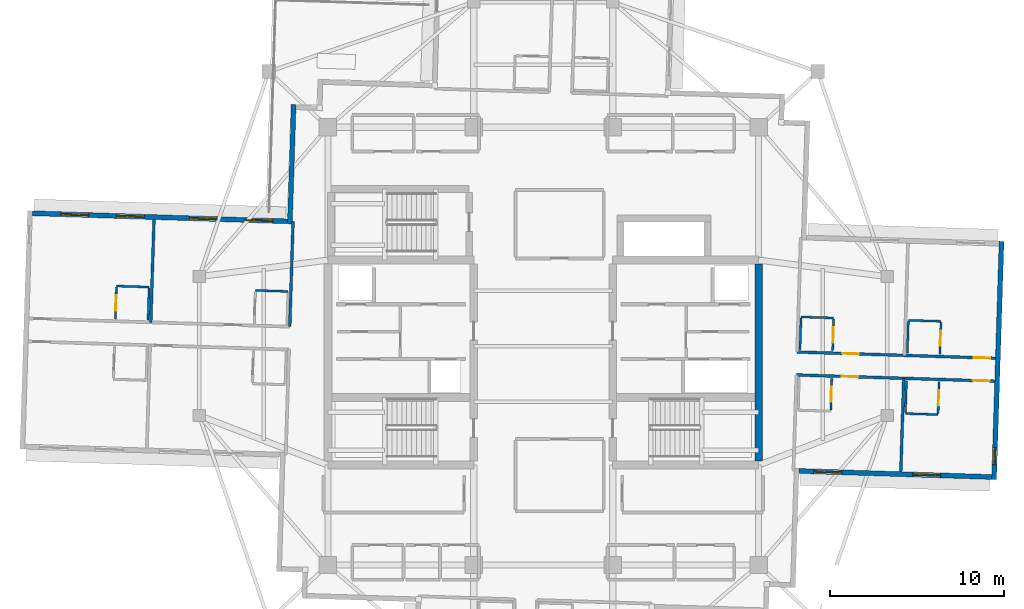
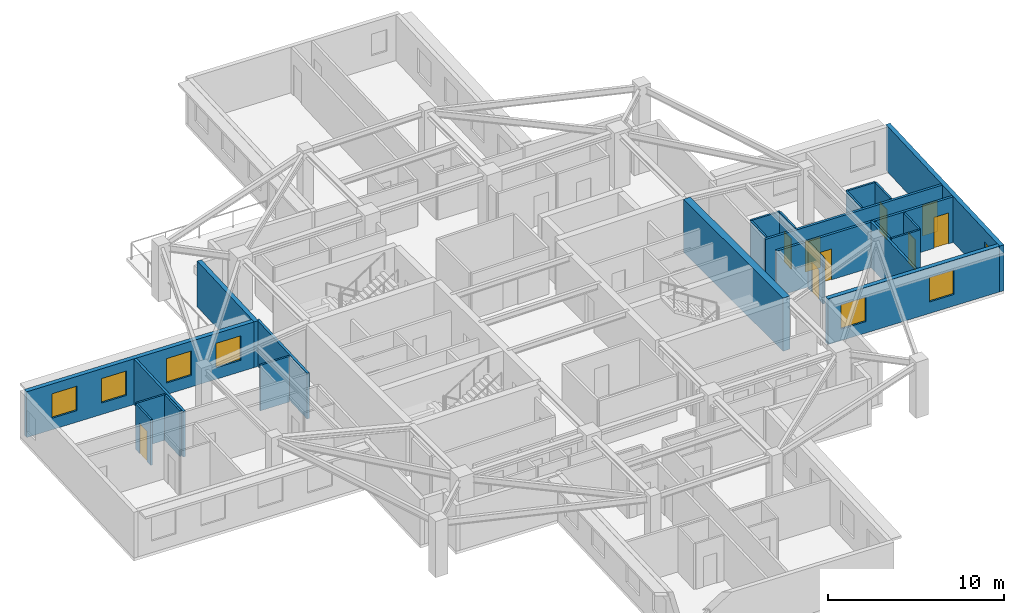
# One storey, part 6 of 13: 24 walls, 9 doors, 7 windows, 16 openings.
"""IFC4 building model written with IfcOpenShell, lengths in metres."""

from ifc_helpers import new_model, si_unit, direction, frame, frame_2d, origin, place, context, subcontext, project, spatial, rectangle, extrude, material, layer, layer_set, type_object, element, fill, save


model = new_model("IFC4")

# Units and contexts
model_context = context("Model", 3, precision=1e-05, world=origin(), true_north=direction((0.0, 1.0)))
body_context = subcontext(model_context, "Body", "Model", "MODEL_VIEW")
ifc_project = project(units=[si_unit("LENGTHUNIT", "METRE"), si_unit("AREAUNIT", "SQUARE_METRE"), si_unit("VOLUMEUNIT", "CUBIC_METRE"), si_unit("PLANEANGLEUNIT", "RADIAN"), si_unit("MASSUNIT", "GRAM", prefix="KILO")], contexts=[model_context])

# Site, building, storey
site_placement = place(None, origin())
site = spatial("IfcSite", under=ifc_project, at=site_placement, CompositionType="ELEMENT")
building_placement = place(site_placement, origin())
building = spatial("IfcBuilding", under=site, at=building_placement, Name="Qingluan Cross Belvedere", CompositionType="ELEMENT")
storey_placement = place(building_placement, frame((0.0, 0.0, 257.699951171875)))
storey = spatial("IfcBuildingStorey", under=building, at=storey_placement, Name="L64", CompositionType="ELEMENT", Elevation=257.699951171875)

# Wall
ifc_material_1 = material(Name="Concrete C50", Category="concrete")
ifc_layer_1 = layer(ifc_material_1, 0.449951171875, Name="CoreShearWall_450")
ifc_layer_set_1 = layer_set([ifc_layer_1], Name="Concrete C50")
wall_type_1 = type_object("IfcWallType", Name="CoreShearWall_450", PredefinedType="SHEAR", material=ifc_layer_set_1)
wall_1_placement = place(storey_placement, frame((12.39990234375, -6.6201171875, 0.0), z_axis=(0.0, 0.0, 1.0), x_axis=(0.0, 1.0, 0.0)))
element("IfcWall", 1, at=wall_1_placement, inside=storey, type_object=wall_type_1, Name="Split core E shear wall L64-E", PredefinedType="SHEAR", context=body_context, shape_type="SweptSolid", body=[
    extrude(rectangle(XDim=11.340087890625, YDim=0.449951171875, at=frame_2d((5.669921875, 0.0))), origin(), (0.0, 0.0, 1.0), 3.699951171875),
])

# Wall, openings, doors
ifc_material_2 = material(Name="Gypsum plasterboard on steel stud acoustic partition", Category="steel")
ifc_layer_2 = layer(ifc_material_2, 0.159912109375, Name="CorridorPartition_160")
ifc_layer_set_2 = layer_set([ifc_layer_2], Name="Gypsum plasterboard on steel stud acoustic partition")
wall_type_2 = type_object("IfcWallType", Name="CorridorPartition_160", PredefinedType="PARTITIONING", material=ifc_layer_set_2)
wall_2_placement = place(storey_placement, frame((14.61669921875, -0.33935546875, 0.0), z_axis=(0.0, 0.0, 1.0), x_axis=(0.999506718293, -0.031405733357, 0.0)))
wall_2 = element("IfcWall", 2, at=wall_2_placement, inside=storey, type_object=wall_type_2, Name="Partition L64:E:c0", PredefinedType="PARTITIONING", context=body_context, shape_type="SweptSolid", body=[
    extrude(rectangle(XDim=11.411865234375, YDim=0.159912109375, at=frame_2d((5.7060546875, 0.0))), origin(), (0.0, 0.0, 1.0), 3.170166015625),
])
opening_1_placement = place(wall_2_placement, frame((2.597900390625, 0.0, 0.0)))
opening_1 = element("IfcOpeningElement", 3, at=opening_1_placement, cuts=wall_2, Name="Opening GD-10", PredefinedType="OPENING", context=body_context, shape_type="SweptSolid", body=[
    extrude(rectangle(XDim=0.9599609375, YDim=2.14990234375, at=frame_2d((0.47998046875, 1.074951171875))), frame((0.0, 0.08984375, 0.0), z_axis=(0.0, -1.0, 0.0), x_axis=(1.0, 0.0, 0.0)), (0.0, 0.0, 1.0), 0.179931640625),
])
opening_2_placement = place(wall_2_placement, frame((10.159912109375, 0.0, 0.0)))
opening_2 = element("IfcOpeningElement", 4, at=opening_2_placement, cuts=wall_2, Name="Opening GD-10", PredefinedType="OPENING", context=body_context, shape_type="SweptSolid", body=[
    extrude(rectangle(XDim=0.9599609375, YDim=2.14990234375, at=frame_2d((0.47998046875, 1.074951171875))), frame((0.0, 0.08984375, 0.0), z_axis=(0.0, -1.0, 0.0), x_axis=(1.0, 0.0, 0.0)), (0.0, 0.0, 1.0), 0.179931640625),
])
ifc_material_3 = material(Name="Timber oak fire-rated acoustic guestroom door", Category="wood")
door_type_1 = type_object("IfcDoorType", Name="GuestEntryDoor_FD60", OperationType="NOTDEFINED", PredefinedType="DOOR", material=ifc_material_3)
door_1_placement = place(opening_1_placement, origin())
door_1 = element("IfcDoor", 5, at=door_1_placement, inside=storey, type_object=door_type_1, Name="Guest entry fire door 6401", OperationType="SINGLE_SWING_LEFT", OverallHeight=2.14990234375, OverallWidth=0.9599609375, PredefinedType="DOOR", context=body_context, shape_type="SweptSolid", body=[
    extrude(rectangle(XDim=0.9599609375, YDim=2.14990234375, at=frame_2d((0.47998046875, 1.074951171875))), frame((0.0, 0.02490234375, 0.0), z_axis=(0.0, -1.0, 0.0), x_axis=(1.0, 0.0, 0.0)), (0.0, 0.0, 1.0), 0.050048828125),
])
fill(opening_1, door_1)
door_2_placement = place(opening_2_placement, origin())
door_2 = element("IfcDoor", 6, at=door_2_placement, inside=storey, type_object=door_type_1, Name="Guest entry fire door 6402", OperationType="SINGLE_SWING_LEFT", OverallHeight=2.14990234375, OverallWidth=0.9599609375, PredefinedType="DOOR", context=body_context, shape_type="SweptSolid", body=[
    extrude(rectangle(XDim=0.9599609375, YDim=2.14990234375, at=frame_2d((0.47998046875, 1.074951171875))), frame((0.0, 0.02490234375, 0.0), z_axis=(0.0, -1.0, 0.0), x_axis=(1.0, 0.0, 0.0)), (0.0, 0.0, 1.0), 0.050048828125),
])
fill(opening_2, door_2)

wall_3_placement = place(storey_placement, frame((14.5751953125, -1.65869140625, 0.0), z_axis=(0.0, 0.0, 1.0), x_axis=(0.999506718293, -0.031405733357, 0.0)))
wall_3 = element("IfcWall", 7, at=wall_3_placement, inside=storey, type_object=wall_type_2, Name="Partition L64:E:c1", PredefinedType="PARTITIONING", context=body_context, shape_type="SweptSolid", body=[
    extrude(rectangle(XDim=11.411865234375, YDim=0.159912109375, at=frame_2d((5.7060546875, 0.0))), origin(), (0.0, 0.0, 1.0), 3.170166015625),
])
opening_3_placement = place(wall_3_placement, frame((2.597900390625, 0.0, 0.0)))
opening_3 = element("IfcOpeningElement", 8, at=opening_3_placement, cuts=wall_3, Name="Opening GD-10", PredefinedType="OPENING", context=body_context, shape_type="SweptSolid", body=[
    extrude(rectangle(XDim=0.9599609375, YDim=2.14990234375, at=frame_2d((0.47998046875, 1.074951171875))), frame((0.0, 0.08984375, 0.0), z_axis=(0.0, -1.0, 0.0), x_axis=(1.0, 0.0, 0.0)), (0.0, 0.0, 1.0), 0.179931640625),
])
opening_4_placement = place(wall_3_placement, frame((10.159912109375, 0.0, 0.0)))
opening_4 = element("IfcOpeningElement", 9, at=opening_4_placement, cuts=wall_3, Name="Opening GD-10", PredefinedType="OPENING", context=body_context, shape_type="SweptSolid", body=[
    extrude(rectangle(XDim=0.9599609375, YDim=2.14990234375, at=frame_2d((0.47998046875, 1.074951171875))), frame((0.0, 0.08984375, 0.0), z_axis=(0.0, -1.0, 0.0), x_axis=(1.0, 0.0, 0.0)), (0.0, 0.0, 1.0), 0.179931640625),
])
door_3_placement = place(opening_3_placement, origin())
door_3 = element("IfcDoor", 10, at=door_3_placement, inside=storey, type_object=door_type_1, Name="Guest entry fire door 6403", OperationType="SINGLE_SWING_LEFT", OverallHeight=2.14990234375, OverallWidth=0.9599609375, PredefinedType="DOOR", context=body_context, shape_type="SweptSolid", body=[
    extrude(rectangle(XDim=0.9599609375, YDim=2.14990234375, at=frame_2d((0.47998046875, 1.074951171875))), frame((0.0, 0.02490234375, 0.0), z_axis=(0.0, -1.0, 0.0), x_axis=(1.0, 0.0, 0.0)), (0.0, 0.0, 1.0), 0.050048828125),
])
fill(opening_3, door_3)
door_4_placement = place(opening_4_placement, origin())
door_4 = element("IfcDoor", 11, at=door_4_placement, inside=storey, type_object=door_type_1, Name="Guest entry fire door 6404", OperationType="SINGLE_SWING_LEFT", OverallHeight=2.14990234375, OverallWidth=0.9599609375, PredefinedType="DOOR", context=body_context, shape_type="SweptSolid", body=[
    extrude(rectangle(XDim=0.9599609375, YDim=2.14990234375, at=frame_2d((0.47998046875, 1.074951171875))), frame((0.0, 0.02490234375, 0.0), z_axis=(0.0, -1.0, 0.0), x_axis=(1.0, 0.0, 0.0)), (0.0, 0.0, 1.0), 0.050048828125),
])
fill(opening_4, door_4)

# Walls
wall_4_placement = place(storey_placement, frame((20.751953125, -1.852783203125, 0.0), z_axis=(0.0, 0.0, 1.0), x_axis=(-0.031403591545, -0.999506785589, 0.0)))
element("IfcWall", 12, at=wall_4_placement, inside=storey, type_object=wall_type_2, Name="Partition L64:E:d1_0", PredefinedType="PARTITIONING", context=body_context, shape_type="SweptSolid", body=[
    extrude(rectangle(XDim=5.3720703125, YDim=0.159912109375, at=frame_2d((2.68603515625, 0.0))), origin(), (0.0, 0.0, 1.0), 3.170166015625),
])
wall_5_placement = place(storey_placement, frame((-14.592041015625, 1.118896484375, 0.0), z_axis=(0.0, 0.0, 1.0), x_axis=(0.031424675557, 0.999506122926, 0.0)))
element("IfcWall", 13, at=wall_5_placement, inside=storey, type_object=wall_type_2, Name="Partition L64:W:s0", PredefinedType="PARTITIONING", context=body_context, shape_type="SweptSolid", body=[
    extrude(rectangle(XDim=6.059814453125, YDim=0.159912109375, at=frame_2d((3.02978515625, 0.0))), origin(), (0.0, 0.0, 1.0), 3.170166015625),
])
wall_6_placement = place(storey_placement, frame((-22.592041015625, 1.370361328125, 0.0), z_axis=(0.0, 0.0, 1.0), x_axis=(0.031385596274, 0.999507350822, 0.0)))
element("IfcWall", 14, at=wall_6_placement, inside=storey, type_object=wall_type_2, Name="Partition L64:W:d0_0", PredefinedType="PARTITIONING", context=body_context, shape_type="SweptSolid", body=[
    extrude(rectangle(XDim=5.911865234375, YDim=0.159912109375, at=frame_2d((2.9560546875, 0.0))), origin(), (0.0, 0.0, 1.0), 3.170166015625),
])

# Wall, opening, door
ifc_material_4 = material(Name="Moisture-resistant gypsum board lining")
ifc_layer_3 = layer(ifc_material_4, 0.1201171875, Name="EnsuiteWetPartition_120")
ifc_layer_set_3 = layer_set([ifc_layer_3], Name="Moisture-resistant gypsum board lining")
wall_type_3 = type_object("IfcWallType", Name="EnsuiteWetPartition_120", PredefinedType="PARTITIONING", material=ifc_layer_set_3)
wall_7_placement = place(storey_placement, frame((16.659912109375, -0.263427734375, 0.0), z_axis=(0.0, 0.0, 1.0), x_axis=(0.031389704724, 0.999507221803, 0.0)))
wall_7 = element("IfcWall", 15, at=wall_7_placement, inside=storey, type_object=wall_type_3, Name="Partition L64:E:bs0_0", PredefinedType="PARTITIONING", context=body_context, shape_type="SweptSolid", body=[
    extrude(rectangle(XDim=1.820068359375, YDim=0.1201171875, at=frame_2d((0.91015625, 0.0))), origin(), (0.0, 0.0, 1.0), 3.170166015625),
])
opening_5_placement = place(wall_7_placement, frame((0.469970703125, 0.0, 0.0)))
opening_5 = element("IfcOpeningElement", 16, at=opening_5_placement, cuts=wall_7, Name="Opening BD-09", PredefinedType="OPENING", context=body_context, shape_type="SweptSolid", body=[
    extrude(rectangle(XDim=0.8798828125, YDim=2.10009765625, at=frame_2d((0.43994140625, 1.050048828125))), frame((0.0, 0.070068359375, 0.0), z_axis=(0.0, -1.0, 0.0), x_axis=(1.0, 0.0, 0.0)), (0.0, 0.0, 1.0), 0.14013671875),
])
ifc_material_5 = material(Name="Moisture-sealed timber en-suite door", Category="wood")
door_type_2 = type_object("IfcDoorType", Name="BathroomDoor_880", OperationType="NOTDEFINED", PredefinedType="DOOR", material=ifc_material_5)
door_5_placement = place(opening_5_placement, origin())
door_5 = element("IfcDoor", 17, at=door_5_placement, inside=storey, type_object=door_type_2, Name="Bathroom door 6401", OperationType="SINGLE_SWING_RIGHT", OverallHeight=2.10009765625, OverallWidth=0.8798828125, PredefinedType="DOOR", context=body_context, shape_type="SweptSolid", body=[
    extrude(rectangle(XDim=0.8798828125, YDim=2.10009765625, at=frame_2d((0.43994140625, 1.050048828125))), frame((0.0, 0.02490234375, 0.0), z_axis=(0.0, -1.0, 0.0), x_axis=(1.0, 0.0, 0.0)), (0.0, 0.0, 1.0), 0.050048828125),
])
fill(opening_5, door_5)

# Walls
wall_8_placement = place(storey_placement, frame((14.781005859375, -0.204345703125, 0.0), z_axis=(0.0, 0.0, 1.0), x_axis=(0.031255692016, 0.999511421504, 0.0)))
element("IfcWall", 18, at=wall_8_placement, inside=storey, type_object=wall_type_3, Name="Partition L64:E:bw0_0", PredefinedType="PARTITIONING", context=body_context, shape_type="SweptSolid", body=[
    extrude(rectangle(XDim=1.820068359375, YDim=0.1201171875, at=frame_2d((0.91015625, 0.0))), origin(), (0.0, 0.0, 1.0), 3.170166015625),
])
wall_9_placement = place(storey_placement, frame((14.840087890625, 1.6796875, 0.0), z_axis=(0.0, 0.0, 1.0), x_axis=(0.999506103526, -0.031425292588, 0.0)))
element("IfcWall", 19, at=wall_9_placement, inside=storey, type_object=wall_type_3, Name="Partition L64:E:bn0_0", PredefinedType="PARTITIONING", context=body_context, shape_type="SweptSolid", body=[
    extrude(rectangle(XDim=1.880126953125, YDim=0.1201171875, at=frame_2d((0.93994140625, 0.0))), origin(), (0.0, 0.0, 1.0), 3.170166015625),
])

# Wall, opening, door
wall_10_placement = place(storey_placement, frame((22.8369140625, -0.45751953125, 0.0), z_axis=(0.0, 0.0, 1.0), x_axis=(0.031389704724, 0.999507221803, 0.0)))
wall_10 = element("IfcWall", 20, at=wall_10_placement, inside=storey, type_object=wall_type_3, Name="Partition L64:E:bs0_1", PredefinedType="PARTITIONING", context=body_context, shape_type="SweptSolid", body=[
    extrude(rectangle(XDim=1.820068359375, YDim=0.1201171875, at=frame_2d((0.91015625, 0.0))), origin(), (0.0, 0.0, 1.0), 3.170166015625),
])
opening_6_placement = place(wall_10_placement, frame((0.469970703125, 0.0, 0.0)))
opening_6 = element("IfcOpeningElement", 21, at=opening_6_placement, cuts=wall_10, Name="Opening BD-09", PredefinedType="OPENING", context=body_context, shape_type="SweptSolid", body=[
    extrude(rectangle(XDim=0.8798828125, YDim=2.10009765625, at=frame_2d((0.43994140625, 1.050048828125))), frame((0.0, 0.070068359375, 0.0), z_axis=(0.0, -1.0, 0.0), x_axis=(1.0, 0.0, 0.0)), (0.0, 0.0, 1.0), 0.14013671875),
])
door_6_placement = place(opening_6_placement, origin())
door_6 = element("IfcDoor", 22, at=door_6_placement, inside=storey, type_object=door_type_2, Name="Bathroom door 6402", OperationType="SINGLE_SWING_RIGHT", OverallHeight=2.10009765625, OverallWidth=0.8798828125, PredefinedType="DOOR", context=body_context, shape_type="SweptSolid", body=[
    extrude(rectangle(XDim=0.8798828125, YDim=2.10009765625, at=frame_2d((0.43994140625, 1.050048828125))), frame((0.0, 0.02490234375, 0.0), z_axis=(0.0, -1.0, 0.0), x_axis=(1.0, 0.0, 0.0)), (0.0, 0.0, 1.0), 0.050048828125),
])
fill(opening_6, door_6)

# Walls
wall_11_placement = place(storey_placement, frame((20.957763671875, -0.3984375, 0.0), z_axis=(0.0, 0.0, 1.0), x_axis=(0.031389704724, 0.999507221803, 0.0)))
element("IfcWall", 23, at=wall_11_placement, inside=storey, type_object=wall_type_3, Name="Partition L64:E:bw0_1", PredefinedType="PARTITIONING", context=body_context, shape_type="SweptSolid", body=[
    extrude(rectangle(XDim=1.820068359375, YDim=0.1201171875, at=frame_2d((0.91015625, 0.0))), origin(), (0.0, 0.0, 1.0), 3.170166015625),
])
wall_12_placement = place(storey_placement, frame((21.01708984375, 1.485595703125, 0.0), z_axis=(0.0, 0.0, 1.0), x_axis=(0.999505975261, -0.031429371883, 0.0)))
element("IfcWall", 24, at=wall_12_placement, inside=storey, type_object=wall_type_3, Name="Partition L64:E:bn0_1", PredefinedType="PARTITIONING", context=body_context, shape_type="SweptSolid", body=[
    extrude(rectangle(XDim=1.8798828125, YDim=0.1201171875, at=frame_2d((0.93994140625, 0.0))), origin(), (0.0, 0.0, 1.0), 3.170166015625),
])

# Wall, opening, door
wall_13_placement = place(storey_placement, frame((16.552490234375, -3.681640625, 0.0), z_axis=(0.0, 0.0, 1.0), x_axis=(0.031389704724, 0.999507221803, 0.0)))
wall_13 = element("IfcWall", 25, at=wall_13_placement, inside=storey, type_object=wall_type_3, Name="Partition L64:E:bs1_0", PredefinedType="PARTITIONING", context=body_context, shape_type="SweptSolid", body=[
    extrude(rectangle(XDim=1.820068359375, YDim=0.1201171875, at=frame_2d((0.91015625, 0.0))), origin(), (0.0, 0.0, 1.0), 3.170166015625),
])
opening_7_placement = place(wall_13_placement, frame((0.469970703125, 0.0, 0.0)))
opening_7 = element("IfcOpeningElement", 26, at=opening_7_placement, cuts=wall_13, Name="Opening BD-09", PredefinedType="OPENING", context=body_context, shape_type="SweptSolid", body=[
    extrude(rectangle(XDim=0.8798828125, YDim=2.10009765625, at=frame_2d((0.43994140625, 1.050048828125))), frame((0.0, 0.070068359375, 0.0), z_axis=(0.0, -1.0, 0.0), x_axis=(1.0, 0.0, 0.0)), (0.0, 0.0, 1.0), 0.14013671875),
])
door_7_placement = place(opening_7_placement, origin())
door_7 = element("IfcDoor", 27, at=door_7_placement, inside=storey, type_object=door_type_2, Name="Bathroom door 6403", OperationType="SINGLE_SWING_RIGHT", OverallHeight=2.10009765625, OverallWidth=0.8798828125, PredefinedType="DOOR", context=body_context, shape_type="SweptSolid", body=[
    extrude(rectangle(XDim=0.8798828125, YDim=2.10009765625, at=frame_2d((0.43994140625, 1.050048828125))), frame((0.0, 0.02490234375, 0.0), z_axis=(0.0, -1.0, 0.0), x_axis=(1.0, 0.0, 0.0)), (0.0, 0.0, 1.0), 0.050048828125),
])
fill(opening_7, door_7)

wall_14_placement = place(storey_placement, frame((22.7294921875, -3.8759765625, 0.0), z_axis=(0.0, 0.0, 1.0), x_axis=(0.031389704724, 0.999507221803, 0.0)))
wall_14 = element("IfcWall", 28, at=wall_14_placement, inside=storey, type_object=wall_type_3, Name="Partition L64:E:bs1_1", PredefinedType="PARTITIONING", context=body_context, shape_type="SweptSolid", body=[
    extrude(rectangle(XDim=1.820068359375, YDim=0.1201171875, at=frame_2d((0.91015625, 0.0))), origin(), (0.0, 0.0, 1.0), 3.170166015625),
])
opening_8_placement = place(wall_14_placement, frame((0.469970703125, 0.0, 0.0)))
opening_8 = element("IfcOpeningElement", 29, at=opening_8_placement, cuts=wall_14, Name="Opening BD-09", PredefinedType="OPENING", context=body_context, shape_type="SweptSolid", body=[
    extrude(rectangle(XDim=0.8798828125, YDim=2.10009765625, at=frame_2d((0.43994140625, 1.050048828125))), frame((0.0, 0.070068359375, 0.0), z_axis=(0.0, -1.0, 0.0), x_axis=(1.0, 0.0, 0.0)), (0.0, 0.0, 1.0), 0.14013671875),
])
door_8_placement = place(opening_8_placement, origin())
door_8 = element("IfcDoor", 30, at=door_8_placement, inside=storey, type_object=door_type_2, Name="Bathroom door 6404", OperationType="SINGLE_SWING_RIGHT", OverallHeight=2.10009765625, OverallWidth=0.8798828125, PredefinedType="DOOR", context=body_context, shape_type="SweptSolid", body=[
    extrude(rectangle(XDim=0.8798828125, YDim=2.10009765625, at=frame_2d((0.43994140625, 1.050048828125))), frame((0.0, 0.02490234375, 0.0), z_axis=(0.0, -1.0, 0.0), x_axis=(1.0, 0.0, 0.0)), (0.0, 0.0, 1.0), 0.050048828125),
])
fill(opening_8, door_8)

# Walls
wall_15_placement = place(storey_placement, frame((20.850341796875, -3.81689453125, 0.0), z_axis=(0.0, 0.0, 1.0), x_axis=(0.03152371574, 0.999503004171, 0.0)))
element("IfcWall", 31, at=wall_15_placement, inside=storey, type_object=wall_type_3, Name="Partition L64:E:bw1_1", PredefinedType="PARTITIONING", context=body_context, shape_type="SweptSolid", body=[
    extrude(rectangle(XDim=1.820068359375, YDim=0.1201171875, at=frame_2d((0.91015625, 0.0))), origin(), (0.0, 0.0, 1.0), 3.170166015625),
])
for number, where, z_axis, x_axis, name in (
    (32, (20.848388671875, -3.8818359375, 0.0), (0.0, 0.0, 1.0), (0.999505975261, -0.031429371883, 0.0), "Partition L64:E:bc1_1"),
    (33, (-14.6884765625, 3.14794921875, 0.0), (0.0, 0.0, 1.0), (-0.999505975261, 0.031429371883, 0.0), "Partition L64:W:bn0_0"),
):
    element("IfcWall", number, at=place(storey_placement, frame(where, z_axis=z_axis, x_axis=x_axis)), inside=storey, type_object=wall_type_3, Name=name, PredefinedType="PARTITIONING", context=body_context, shape_type="SweptSolid", body=[
        extrude(rectangle(XDim=1.8798828125, YDim=0.1201171875, at=frame_2d((0.93994140625, 0.0))), origin(), (0.0, 0.0, 1.0), 3.170166015625),
    ])

# Wall, opening, door
wall_16_placement = place(storey_placement, frame((-24.626708984375, 1.57421875, 0.0), z_axis=(0.0, 0.0, 1.0), x_axis=(0.031389704724, 0.999507221803, 0.0)))
wall_16 = element("IfcWall", 34, at=wall_16_placement, inside=storey, type_object=wall_type_3, Name="Partition L64:W:bs0_1", PredefinedType="PARTITIONING", context=body_context, shape_type="SweptSolid", body=[
    extrude(rectangle(XDim=1.820068359375, YDim=0.1201171875, at=frame_2d((0.91015625, 0.0))), origin(), (0.0, 0.0, 1.0), 3.170166015625),
])
opening_9_placement = place(wall_16_placement, frame((0.469970703125, 0.0, 0.0)))
opening_9 = element("IfcOpeningElement", 35, at=opening_9_placement, cuts=wall_16, Name="Opening BD-09", PredefinedType="OPENING", context=body_context, shape_type="SweptSolid", body=[
    extrude(rectangle(XDim=0.8798828125, YDim=2.10009765625, at=frame_2d((0.43994140625, 1.050048828125))), frame((0.0, 0.070068359375, 0.0), z_axis=(0.0, -1.0, 0.0), x_axis=(1.0, 0.0, 0.0)), (0.0, 0.0, 1.0), 0.14013671875),
])
door_9_placement = place(opening_9_placement, origin())
door_9 = element("IfcDoor", 36, at=door_9_placement, inside=storey, type_object=door_type_2, Name="Bathroom door 6406", OperationType="SINGLE_SWING_RIGHT", OverallHeight=2.10009765625, OverallWidth=0.8798828125, PredefinedType="DOOR", context=body_context, shape_type="SweptSolid", body=[
    extrude(rectangle(XDim=0.8798828125, YDim=2.10009765625, at=frame_2d((0.43994140625, 1.050048828125))), frame((0.0, 0.02490234375, 0.0), z_axis=(0.0, -1.0, 0.0), x_axis=(1.0, 0.0, 0.0)), (0.0, 0.0, 1.0), 0.050048828125),
])
fill(opening_9, door_9)

# Walls
wall_17_placement = place(storey_placement, frame((-22.74755859375, 1.515380859375, 0.0), z_axis=(0.0, 0.0, 1.0), x_axis=(0.031389704724, 0.999507221803, 0.0)))
element("IfcWall", 37, at=wall_17_placement, inside=storey, type_object=wall_type_3, Name="Partition L64:W:bw0_1", PredefinedType="PARTITIONING", context=body_context, shape_type="SweptSolid", body=[
    extrude(rectangle(XDim=1.820068359375, YDim=0.1201171875, at=frame_2d((0.91015625, 0.0))), origin(), (0.0, 0.0, 1.0), 3.170166015625),
])
wall_18_placement = place(storey_placement, frame((-22.6884765625, 3.3994140625, 0.0), z_axis=(0.0, 0.0, 1.0), x_axis=(-0.999505975261, 0.031429371883, 0.0)))
element("IfcWall", 38, at=wall_18_placement, inside=storey, type_object=wall_type_3, Name="Partition L64:W:bn0_1", PredefinedType="PARTITIONING", context=body_context, shape_type="SweptSolid", body=[
    extrude(rectangle(XDim=1.8798828125, YDim=0.1201171875, at=frame_2d((0.93994140625, 0.0))), origin(), (0.0, 0.0, 1.0), 3.170166015625),
])

# Wall, openings, windows
ifc_material_6 = material(Name="Precast concrete C45", Category="concrete")
ifc_layer_4 = layer(ifc_material_6, 0.280029296875, Name="PrecastFacadeWall_280")
ifc_layer_set_4 = layer_set([ifc_layer_4], Name="Precast concrete C45")
wall_type_4 = type_object("IfcWallType", Name="PrecastFacadeWall_280", PredefinedType="STANDARD", material=ifc_layer_set_4)
wall_19_placement = place(storey_placement, frame((14.721435546875, -7.18603515625, 0.0), z_axis=(0.0, 0.0, 1.0), x_axis=(0.999506653742, -0.031407787641, 0.0)))
wall_19 = element("IfcWall", 39, at=wall_19_placement, inside=storey, type_object=wall_type_4, Name="Facade wall L64-EA", PredefinedType="STANDARD", context=body_context, shape_type="SweptSolid", body=[
    extrude(rectangle(XDim=11.10009765625, YDim=0.280029296875, at=frame_2d((5.550048828125, 0.0))), origin(), (0.0, 0.0, 1.0), 3.179931640625),
])
opening_10_placement = place(wall_19_placement, frame((0.85009765625, 0.0, 0.800048828125)))
opening_10 = element("IfcOpeningElement", 40, at=opening_10_placement, cuts=wall_19, Name="Opening W-04", PredefinedType="OPENING", context=body_context, shape_type="SweptSolid", body=[
    extrude(rectangle(XDim=1.60009765625, YDim=1.699951171875, at=frame_2d((0.800048828125, 0.85009765625))), frame((0.0, 0.14990234375, 0.0), z_axis=(0.0, -1.0, 0.0), x_axis=(1.0, 0.0, 0.0)), (0.0, 0.0, 1.0), 0.300048828125),
])
opening_11_placement = place(wall_19_placement, frame((6.550048828125, 0.0, 0.800048828125)))
opening_11 = element("IfcOpeningElement", 41, at=opening_11_placement, cuts=wall_19, Name="Opening W-04", PredefinedType="OPENING", context=body_context, shape_type="SweptSolid", body=[
    extrude(rectangle(XDim=1.60009765625, YDim=1.699951171875, at=frame_2d((0.800048828125, 0.85009765625))), frame((0.0, 0.14990234375, 0.0), z_axis=(0.0, -1.0, 0.0), x_axis=(1.0, 0.0, 0.0)), (0.0, 0.0, 1.0), 0.300048828125),
])
ifc_material_7 = material(Name="Thermally broken triple Low-E glass in aluminium frame", Category="aluminium")
window_type_1 = type_object("IfcWindowType", Name="SuiteCornerWin_1600x1700", PartitioningType="SINGLE_PANEL", PredefinedType="WINDOW", material=ifc_material_7)
window_1_placement = place(opening_10_placement, origin())
window_1 = element("IfcWindow", 42, at=window_1_placement, inside=storey, type_object=window_type_1, Name="Ribbon window L64-EA-1", OverallHeight=1.699951171875, OverallWidth=1.60009765625, PartitioningType="SINGLE_PANEL", PredefinedType="WINDOW", context=body_context, shape_type="SweptSolid", body=[
    extrude(rectangle(XDim=1.60009765625, YDim=1.699951171875, at=frame_2d((0.800048828125, 0.85009765625))), frame((0.0, 0.030029296875, 0.0), z_axis=(0.0, -1.0, 0.0), x_axis=(1.0, 0.0, 0.0)), (0.0, 0.0, 1.0), 0.06005859375),
])
fill(opening_10, window_1)
window_2_placement = place(opening_11_placement, origin())
window_2 = element("IfcWindow", 43, at=window_2_placement, inside=storey, type_object=window_type_1, Name="Ribbon window L64-EA-2", OverallHeight=1.699951171875, OverallWidth=1.60009765625, PartitioningType="SINGLE_PANEL", PredefinedType="WINDOW", context=body_context, shape_type="SweptSolid", body=[
    extrude(rectangle(XDim=1.60009765625, YDim=1.699951171875, at=frame_2d((0.800048828125, 0.85009765625))), frame((0.0, 0.030029296875, 0.0), z_axis=(0.0, -1.0, 0.0), x_axis=(1.0, 0.0, 0.0)), (0.0, 0.0, 1.0), 0.06005859375),
])
fill(opening_11, window_2)

# Wall, opening, window
wall_20_placement = place(storey_placement, frame((25.95166015625, -7.678955078125, 0.0), z_axis=(0.0, 0.0, 1.0), x_axis=(0.031407524763, 0.999506662003, 0.0)))
wall_20 = element("IfcWall", 44, at=wall_20_placement, inside=storey, type_object=wall_type_4, Name="Arm tip precast facade wall L64-E", PredefinedType="STANDARD", context=body_context, shape_type="SweptSolid", body=[
    extrude(rectangle(XDim=13.719970703125, YDim=0.280029296875, at=frame_2d((6.85986328125, 0.0))), origin(), (0.0, 0.0, 1.0), 3.179931640625),
])
opening_12_placement = place(wall_20_placement, frame((0.85009765625, 0.0, 0.85009765625)))
opening_12 = element("IfcOpeningElement", 45, at=opening_12_placement, cuts=wall_20, Name="Opening W-03", PredefinedType="OPENING", context=body_context, shape_type="SweptSolid", body=[
    extrude(rectangle(XDim=1.0, YDim=1.5, at=frame_2d((0.5, 0.75))), frame((0.0, 0.14990234375, 0.0), z_axis=(0.0, -1.0, 0.0), x_axis=(1.0, 0.0, 0.0)), (0.0, 0.0, 1.0), 0.300048828125),
])
ifc_material_8 = material(Name="Thermally broken triple Low-E glass in aluminium frame", Category="aluminium")
window_type_2 = type_object("IfcWindowType", Name="TriApexWin_1000x1500", PartitioningType="SINGLE_PANEL", PredefinedType="WINDOW", material=ifc_material_8)
window_3_placement = place(opening_12_placement, origin())
window_3 = element("IfcWindow", 46, at=window_3_placement, inside=storey, type_object=window_type_2, Name="Arm tip triangular window L64-E", OverallHeight=1.5, OverallWidth=1.0, PartitioningType="SINGLE_PANEL", PredefinedType="WINDOW", context=body_context, shape_type="SweptSolid", body=[
    extrude(rectangle(XDim=1.0, YDim=1.5, at=frame_2d((0.5, 0.75))), frame((0.0, 0.030029296875, 0.0), z_axis=(0.0, -1.0, 0.0), x_axis=(1.0, 0.0, 0.0)), (0.0, 0.0, 1.0), 0.06005859375),
])
fill(opening_12, window_3)

# Wall, openings, windows
wall_21_placement = place(storey_placement, frame((-14.721435546875, 7.18603515625, 0.0), z_axis=(0.0, 0.0, 1.0), x_axis=(-0.999506714454, 0.031405855522, 0.0)))
wall_21 = element("IfcWall", 47, at=wall_21_placement, inside=storey, type_object=wall_type_4, Name="Facade wall L64-WA", PredefinedType="STANDARD", context=body_context, shape_type="SweptSolid", body=[
    extrude(rectangle(XDim=14.7001953125, YDim=0.280029296875, at=frame_2d((7.35009765625, 0.0))), origin(), (0.0, 0.0, 1.0), 3.179931640625),
])
opening_13_placement = place(wall_21_placement, frame((0.85009765625, 0.0, 0.800048828125)))
opening_13 = element("IfcOpeningElement", 48, at=opening_13_placement, cuts=wall_21, Name="Opening W-04", PredefinedType="OPENING", context=body_context, shape_type="SweptSolid", body=[
    extrude(rectangle(XDim=1.60009765625, YDim=1.699951171875, at=frame_2d((0.800048828125, 0.85009765625))), frame((0.0, 0.14990234375, 0.0), z_axis=(0.0, -1.0, 0.0), x_axis=(1.0, 0.0, 0.0)), (0.0, 0.0, 1.0), 0.300048828125),
])
opening_14_placement = place(wall_21_placement, frame((4.050048828125, 0.0, 0.800048828125)))
opening_14 = element("IfcOpeningElement", 49, at=opening_14_placement, cuts=wall_21, Name="Opening W-04", PredefinedType="OPENING", context=body_context, shape_type="SweptSolid", body=[
    extrude(rectangle(XDim=1.60009765625, YDim=1.699951171875, at=frame_2d((0.800048828125, 0.85009765625))), frame((0.0, 0.14990234375, 0.0), z_axis=(0.0, -1.0, 0.0), x_axis=(1.0, 0.0, 0.0)), (0.0, 0.0, 1.0), 0.300048828125),
])
opening_15_placement = place(wall_21_placement, frame((8.25, 0.0, 0.800048828125)))
opening_15 = element("IfcOpeningElement", 50, at=opening_15_placement, cuts=wall_21, Name="Opening W-04", PredefinedType="OPENING", context=body_context, shape_type="SweptSolid", body=[
    extrude(rectangle(XDim=1.60009765625, YDim=1.699951171875, at=frame_2d((0.800048828125, 0.85009765625))), frame((0.0, 0.14990234375, 0.0), z_axis=(0.0, -1.0, 0.0), x_axis=(1.0, 0.0, 0.0)), (0.0, 0.0, 1.0), 0.300048828125),
])
opening_16_placement = place(wall_21_placement, frame((11.449951171875, 0.0, 0.800048828125)))
opening_16 = element("IfcOpeningElement", 51, at=opening_16_placement, cuts=wall_21, Name="Opening W-04", PredefinedType="OPENING", context=body_context, shape_type="SweptSolid", body=[
    extrude(rectangle(XDim=1.60009765625, YDim=1.699951171875, at=frame_2d((0.800048828125, 0.85009765625))), frame((0.0, 0.14990234375, 0.0), z_axis=(0.0, -1.0, 0.0), x_axis=(1.0, 0.0, 0.0)), (0.0, 0.0, 1.0), 0.300048828125),
])
window_4_placement = place(opening_13_placement, origin())
window_4 = element("IfcWindow", 52, at=window_4_placement, inside=storey, type_object=window_type_1, Name="Ribbon window L64-WA-1", OverallHeight=1.699951171875, OverallWidth=1.60009765625, PartitioningType="SINGLE_PANEL", PredefinedType="WINDOW", context=body_context, shape_type="SweptSolid", body=[
    extrude(rectangle(XDim=1.60009765625, YDim=1.699951171875, at=frame_2d((0.800048828125, 0.85009765625))), frame((0.0, 0.030029296875, 0.0), z_axis=(0.0, -1.0, 0.0), x_axis=(1.0, 0.0, 0.0)), (0.0, 0.0, 1.0), 0.06005859375),
])
fill(opening_13, window_4)
window_5_placement = place(opening_14_placement, origin())
window_5 = element("IfcWindow", 53, at=window_5_placement, inside=storey, type_object=window_type_1, Name="Ribbon window L64-WA-2", OverallHeight=1.699951171875, OverallWidth=1.60009765625, PartitioningType="SINGLE_PANEL", PredefinedType="WINDOW", context=body_context, shape_type="SweptSolid", body=[
    extrude(rectangle(XDim=1.60009765625, YDim=1.699951171875, at=frame_2d((0.800048828125, 0.85009765625))), frame((0.0, 0.030029296875, 0.0), z_axis=(0.0, -1.0, 0.0), x_axis=(1.0, 0.0, 0.0)), (0.0, 0.0, 1.0), 0.06005859375),
])
fill(opening_14, window_5)
window_6_placement = place(opening_15_placement, origin())
window_6 = element("IfcWindow", 54, at=window_6_placement, inside=storey, type_object=window_type_1, Name="Ribbon window L64-WA-3", OverallHeight=1.699951171875, OverallWidth=1.60009765625, PartitioningType="SINGLE_PANEL", PredefinedType="WINDOW", context=body_context, shape_type="SweptSolid", body=[
    extrude(rectangle(XDim=1.60009765625, YDim=1.699951171875, at=frame_2d((0.800048828125, 0.85009765625))), frame((0.0, 0.030029296875, 0.0), z_axis=(0.0, -1.0, 0.0), x_axis=(1.0, 0.0, 0.0)), (0.0, 0.0, 1.0), 0.06005859375),
])
fill(opening_15, window_6)
window_7_placement = place(opening_16_placement, origin())
window_7 = element("IfcWindow", 55, at=window_7_placement, inside=storey, type_object=window_type_1, Name="Ribbon window L64-WA-4", OverallHeight=1.699951171875, OverallWidth=1.60009765625, PartitioningType="SINGLE_PANEL", PredefinedType="WINDOW", context=body_context, shape_type="SweptSolid", body=[
    extrude(rectangle(XDim=1.60009765625, YDim=1.699951171875, at=frame_2d((0.800048828125, 0.85009765625))), frame((0.0, 0.030029296875, 0.0), z_axis=(0.0, -1.0, 0.0), x_axis=(1.0, 0.0, 0.0)), (0.0, 0.0, 1.0), 0.06005859375),
])
fill(opening_16, window_7)

# Wall
wall_22_placement = place(storey_placement, frame((-14.5859375, 7.04150390625, 0.0), z_axis=(0.0, 0.0, 1.0), x_axis=(0.031389189386, 0.999507237988, 0.0)))
element("IfcWall", 56, at=wall_22_placement, inside=storey, type_object=wall_type_4, Name="Corner wall L64-NW1", PredefinedType="STANDARD", context=body_context, shape_type="SweptSolid", body=[
    extrude(rectangle(XDim=6.860107421875, YDim=0.280029296875, at=frame_2d((3.43017578125, 0.0))), origin(), (0.0, 0.0, 1.0), 3.179931640625),
])

save(model, "model.ifc")
